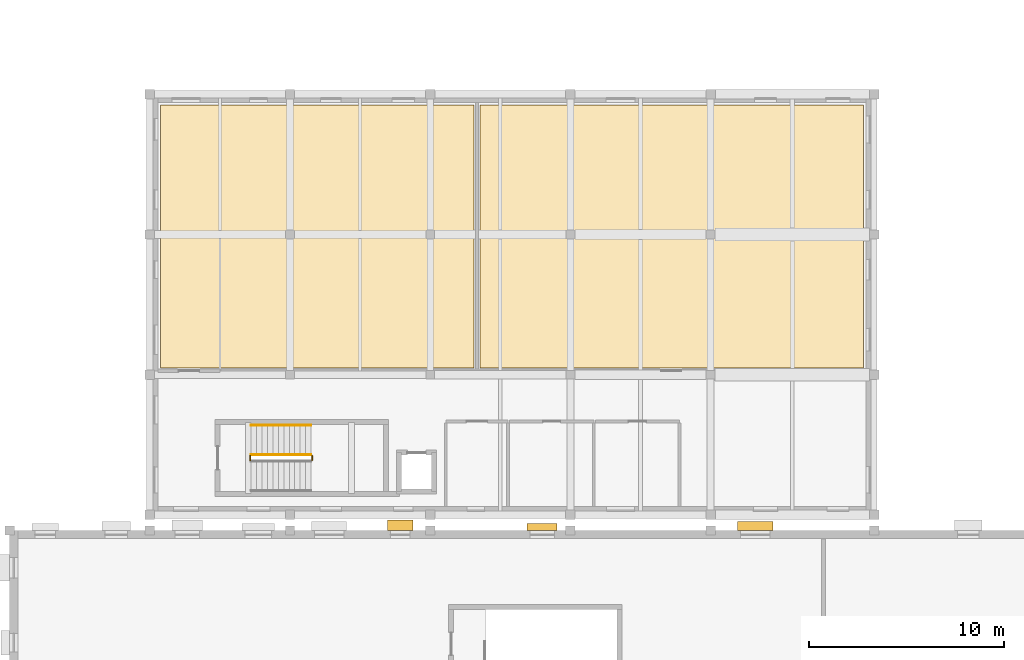
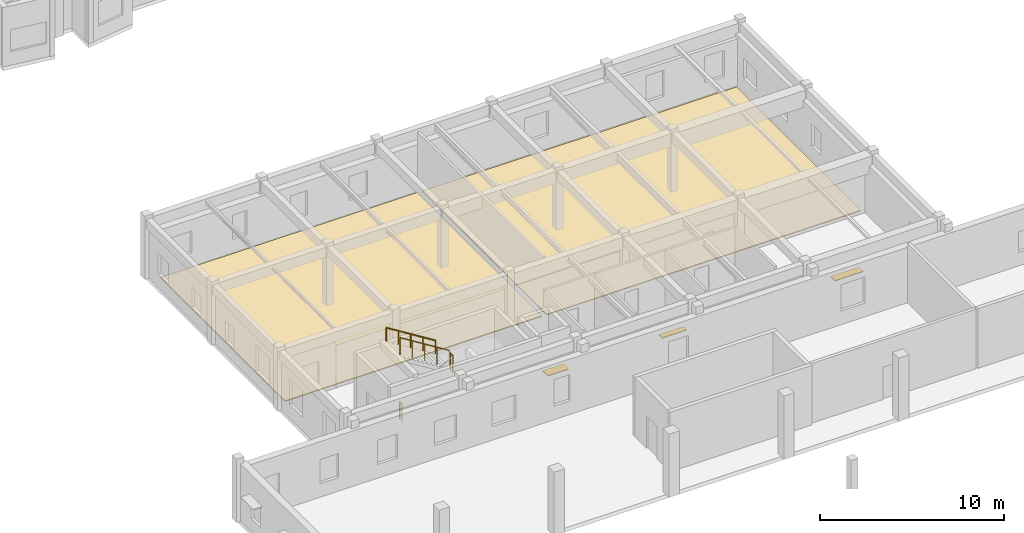
# One storey, part 47 of 49: 4 railings, 3 shading devices, 2 coverings.
"""IFC4 building model written with IfcOpenShell, lengths in metres."""

import ifcopenshell
import ifcopenshell.guid

model = None  # the IFC model being written
_history = None  # IfcOwnerHistory: only IFC2X3 demands one
_inside = {}  # id of a spatial element -> (the spatial element, [elements in it])
_under = {}  # id of a project, library or spatial element -> (it, [spatial elements below it])
_declared = {}  # id of a project -> (the project, [libraries it declares])
_typed = {}  # id of a type object -> (the type object, [elements of that type])
_made_of = {}  # id of a material, layer set ... -> (it, [elements and type objects made of it])


def new_model(schema):
    """Start an empty IFC model of exactly this schema.

    Asked for "IFC4X3", IfcOpenShell would pick the latest addendum, in which some entities
    have other attributes; the version numbers below select the first issue.
    IFC2X3 requires an IfcOwnerHistory on every rooted entity: one is made here for all.
    """
    global model, _history
    if schema == "IFC4X3":
        model = ifcopenshell.file(schema_version=(4, 3, 0, 0))
    else:
        model = ifcopenshell.file(schema=schema)
    _inside.clear()
    _under.clear()
    _declared.clear()
    _typed.clear()
    _made_of.clear()
    _history = None
    if model.schema == "IFC2X3":
        org = make("IfcOrganization", Name="unknown")
        user = make(
            "IfcPersonAndOrganization",
            ThePerson=make("IfcPerson", FamilyName="unknown"),
            TheOrganization=org,
        )
        app = make(
            "IfcApplication",
            ApplicationDeveloper=org,
            Version="unknown",
            ApplicationFullName="unknown",
            ApplicationIdentifier="unknown",
        )
        _history = make(
            "IfcOwnerHistory",
            OwningUser=user,
            OwningApplication=app,
            ChangeAction="ADDED",
            CreationDate=0,
        )
    return model


def make(cls, **values):
    """One entity of the class cls with the attributes given. An attribute that is None is left unset."""
    return model.create_entity(
        cls, **{name: value for name, value in values.items() if value is not None}
    )


def rooted(cls, **values):
    """An entity with a GlobalId (a new one), such as an element, a storey or a relation."""
    return make(cls, GlobalId=ifcopenshell.guid.new(), OwnerHistory=_history, **values)


def si_unit(unit_type, name, prefix=None):
    """IfcSIUnit, for example si_unit("LENGTHUNIT", "METRE", prefix="MILLI")."""
    return make("IfcSIUnit", UnitType=unit_type, Prefix=prefix, Name=name)


def assignment(units):
    """IfcUnitAssignment: the units of a project."""
    return None if units is None else make("IfcUnitAssignment", Units=units)


def point(xyz):
    """IfcCartesianPoint."""
    return None if xyz is None else make("IfcCartesianPoint", Coordinates=xyz)


def direction(xyz):
    """IfcDirection."""
    return None if xyz is None else make("IfcDirection", DirectionRatios=xyz)


def frame(location, z_axis=None, x_axis=None):
    """IfcAxis2Placement3D, a coordinate frame: its origin and axes. An axis left out is left unset."""
    return make(
        "IfcAxis2Placement3D",
        Location=point(location),
        Axis=direction(z_axis),
        RefDirection=direction(x_axis),
    )


def frame_2d(location, x_axis=None):
    """IfcAxis2Placement2D, a coordinate frame in the plane: its origin and x axis."""
    return make(
        "IfcAxis2Placement2D", Location=point(location), RefDirection=direction(x_axis)
    )


def origin():
    """The frame at (0, 0, 0) with its axes left unset."""
    return frame((0.0, 0.0, 0.0))


def origin_2d():
    """The frame at (0, 0) in the plane with its x axis left unset."""
    return frame_2d((0.0, 0.0))


def place(relative_to, where):
    """IfcLocalPlacement: puts the frame where relative to a parent placement (None: the world)."""
    return make(
        "IfcLocalPlacement", PlacementRelTo=relative_to, RelativePlacement=where
    )


def context(
    kind, dimensions, precision=None, world=None, true_north=None, identifier=None
):
    """IfcGeometricRepresentationContext, for example the 3D "Model" context."""
    return make(
        "IfcGeometricRepresentationContext",
        ContextIdentifier=identifier,
        ContextType=kind,
        CoordinateSpaceDimension=dimensions,
        Precision=precision,
        WorldCoordinateSystem=world,
        TrueNorth=true_north,
    )


def subcontext(parent, identifier, kind, view, scale=None):
    """IfcGeometricRepresentationSubContext, for example "Body" below "Model"."""
    return make(
        "IfcGeometricRepresentationSubContext",
        ContextIdentifier=identifier,
        ContextType=kind,
        ParentContext=parent,
        TargetScale=scale,
        TargetView=view,
    )


def project(units=None, contexts=None):
    """IfcProject with its units and contexts."""
    return rooted(
        "IfcProject",
        Name="project",
        RepresentationContexts=contexts,
        UnitsInContext=assignment(units),
    )


def spatial(cls, under=None, at=None, **own):
    """A site, building, storey or space (cls), placed at a placement, below another one or the project."""
    s = rooted(cls, ObjectPlacement=at, **own)
    if under is not None:
        _under.setdefault(under.id(), (under, []))[1].append(s)
    return s


def polyline(points):
    """IfcPolyline through the points."""
    return make("IfcPolyline", Points=[point(p) for p in points])


def profile(cls, at=None, kind="AREA", **sizes):
    """A parametric profile (cls). Its sizes go by their IFC names, for example OverallWidth=200.0."""
    return make(cls, ProfileType=kind, Position=at, **sizes)


def rectangle(**sizes):
    """IfcRectangleProfileDef."""
    return profile("IfcRectangleProfileDef", **sizes)


def circle(**sizes):
    """IfcCircleProfileDef."""
    return profile("IfcCircleProfileDef", **sizes)


def outline(outer, holes=None, kind="AREA"):
    """IfcArbitraryClosedProfileDef: a profile drawn as a closed curve; with holes, ...WithVoids."""
    if holes is None:
        return make("IfcArbitraryClosedProfileDef", ProfileType=kind, OuterCurve=outer)
    return make(
        "IfcArbitraryProfileDefWithVoids",
        ProfileType=kind,
        OuterCurve=outer,
        InnerCurves=holes,
    )


def extrude(swept, where, along, depth):
    """IfcExtrudedAreaSolid: the profile swept, set in the frame where, extruded along a direction by depth."""
    return make(
        "IfcExtrudedAreaSolid",
        SweptArea=swept,
        Position=where,
        ExtrudedDirection=direction(along),
        Depth=depth,
    )


def shape(context_of_items, identifier, shape_type, items):
    """IfcShapeRepresentation: the items that make up one representation, for example the "Body"."""
    return make(
        "IfcShapeRepresentation",
        ContextOfItems=context_of_items,
        RepresentationIdentifier=identifier,
        RepresentationType=shape_type,
        Items=items,
    )


def material(Name=None, Category=None):
    """IfcMaterial."""
    return make("IfcMaterial", Name=Name, Category=Category)


def layer(
    of_material, thickness, ventilated=None, Name=None, Category=None, Priority=None
):
    """IfcMaterialLayer: one layer of a wall or slab, of a material (None: an air gap)."""
    return make(
        "IfcMaterialLayer",
        Material=of_material,
        LayerThickness=thickness,
        IsVentilated=ventilated,
        Name=Name,
        Category=Category,
        Priority=Priority,
    )


def layer_set(layers, Name=None):
    """IfcMaterialLayerSet."""
    return make("IfcMaterialLayerSet", MaterialLayers=layers, LayerSetName=Name)


def made_of(thing, what):
    """Note that an element or type object is made of a material, layer set ...; save() writes the relation."""
    if what is not None:
        _made_of.setdefault(what.id(), (what, []))[1].append(thing)
    return thing


def type_object(cls, material=None, **own):
    """A type object (cls), such as IfcWallType, which elements share."""
    return made_of(rooted(cls, **own), material)


def element(
    cls,
    number,
    at=None,
    inside=None,
    cuts=None,
    type_object=None,
    material=None,
    context=None,
    identifier="Body",
    shape_type=None,
    held_by="IfcProductDefinitionShape",
    body=None,
    shapes=None,
    **own,
):
    """One element of the class cls, such as IfcWall. Its Tag is "e" and its number.

    at: its placement. inside: the storey or other place that contains it. cuts: it is an
    opening in that element (IfcRelVoidsElement). A single representation is given by context,
    identifier, shape_type and body (its items); several are given by shapes. held_by: the class
    of the entity that holds the representations. save() writes the other relations.
    """
    e = rooted(cls, Tag="e%d" % number, ObjectPlacement=at, **own)
    if body is not None:
        shapes = [shape(context, identifier, shape_type, body)]
    if shapes is not None:
        e.Representation = make(held_by, Representations=shapes)
    if inside is not None:
        _inside.setdefault(inside.id(), (inside, []))[1].append(e)
    if cuts is not None:
        rooted(
            "IfcRelVoidsElement", RelatingBuildingElement=cuts, RelatedOpeningElement=e
        )
    if type_object is not None:
        _typed.setdefault(type_object.id(), (type_object, []))[1].append(e)
    return made_of(e, material)


def aggregate(whole, parts):
    """IfcRelAggregates: a whole, such as a stair, and the parts it consists of."""
    return rooted("IfcRelAggregates", RelatingObject=whole, RelatedObjects=parts)


def save(model, path):
    """Write the relations noted so far, then the file.

    IfcRelAggregates (storeys below a building ...), IfcRelContainedInSpatialStructure (elements
    in a storey), IfcRelDefinesByType, IfcRelAssociatesMaterial and IfcRelDeclares: one each for
    every whole, place, type object, material and project.
    """
    for whole, parts in _under.values():
        aggregate(whole, parts)
    for where, things in _inside.values():
        rooted(
            "IfcRelContainedInSpatialStructure",
            RelatedElements=things,
            RelatingStructure=where,
        )
    for kind, things in _typed.values():
        rooted("IfcRelDefinesByType", RelatedObjects=things, RelatingType=kind)
    for what, things in _made_of.values():
        rooted("IfcRelAssociatesMaterial", RelatedObjects=things, RelatingMaterial=what)
    for by, libraries in _declared.values():
        rooted("IfcRelDeclares", RelatingContext=by, RelatedDefinitions=libraries)
    model.write(path)


model = new_model("IFC4")

# Units and contexts
model_context = context("Model", 3, precision=1e-05, world=origin(), true_north=direction((0.0, 1.0)))
body_context = subcontext(model_context, "Body", "Model", "MODEL_VIEW")
ifc_project = project(units=[si_unit("LENGTHUNIT", "METRE"), si_unit("AREAUNIT", "SQUARE_METRE"), si_unit("VOLUMEUNIT", "CUBIC_METRE"), si_unit("PLANEANGLEUNIT", "RADIAN"), si_unit("MASSUNIT", "GRAM", prefix="KILO")], contexts=[model_context])

# Site, building, storey
site_placement = place(None, origin())
site = spatial("IfcSite", under=ifc_project, at=site_placement, CompositionType="ELEMENT")
building_placement = place(site_placement, origin())
building = spatial("IfcBuilding", under=site, at=building_placement, Name="Bramveld Media Centre", CompositionType="ELEMENT")
storey_placement = place(building_placement, frame((0.0, 0.0, 9.60009765625)))
storey = spatial("IfcBuildingStorey", under=building, at=storey_placement, Name="L02", CompositionType="ELEMENT", Elevation=9.60009765625)

# Coverings
ifc_material_1 = material(Name="Floating acoustic screed with smoked European oak studio flooring")
ifc_layer_1 = layer(ifc_material_1, 0.06494140625)
ifc_layer_set_1 = layer_set([ifc_layer_1], Name="Floating acoustic screed with smoked European oak studio flooring")
covering_type_1 = type_object("IfcCoveringType", Name="COV-FLOOR-01", PredefinedType="FLOORING", material=ifc_layer_set_1)
covering_1_placement = place(storey_placement, origin())
element("IfcCovering", 1, at=covering_1_placement, inside=storey, type_object=covering_type_1, Name="Animation & Motion-Capture Studio finish flooring", PredefinedType="FLOORING", context=body_context, shape_type="SweptSolid", body=[
    extrude(outline(polyline([(131.75, 46.75), (147.85009765625, 46.75), (147.85009765625, 60.25), (131.75, 60.25), (131.75, 46.75)])), origin(), (0.0, 0.0, 1.0), 0.06494140625),
])
ifc_material_2 = material(Name="Honed Belgian bluestone (petit granit) public concourse flooring", Category="masonry")
ifc_layer_2 = layer(ifc_material_2, 0.050048828125)
ifc_layer_set_2 = layer_set([ifc_layer_2], Name="Honed Belgian bluestone (petit granit) public concourse flooring")
covering_type_2 = type_object("IfcCoveringType", Name="COV-FLOOR-02", PredefinedType="FLOORING", material=ifc_layer_set_2)
covering_2_placement = place(storey_placement, origin())
element("IfcCovering", 2, at=covering_2_placement, inside=storey, type_object=covering_type_2, Name="Sound Design Teaching Lab finish flooring", PredefinedType="FLOORING", context=body_context, shape_type="SweptSolid", body=[
    extrude(outline(polyline([(148.14990234375, 46.75), (167.85009765625, 46.75), (167.85009765625, 60.25), (148.14990234375, 60.25), (148.14990234375, 46.75)])), origin(), (0.0, 0.0, 1.0), 0.0498046875),
])

# Railings
ifc_material_3 = material(Name="Painted galvanized steel stairwell guardrail", Category="steel")
railing_type_1 = type_object("IfcRailingType", Name="RAIL-STAIR-GUARD-1150", PredefinedType="GUARDRAIL", material=ifc_material_3)
railing_1_placement = place(storey_placement, frame((139.530029296875, 42.0, 2.099853515625)))
element("IfcRailing", 3, at=railing_1_placement, inside=storey, type_object=railing_type_1, Name="L02 ST-08 stair guard 2", PredefinedType="GUARDRAIL", context=body_context, shape_type="SweptSolid", body=[
    extrude(circle(Radius=0.02392578125, at=origin_2d()), frame((0.0, 0.0, 1.1259765625), z_axis=(0.0, 1.0, 0.0), x_axis=(-1.0, 0.0, 0.0)), (0.0, 0.0, 1.0), 0.25),
    extrude(circle(Radius=0.02099609375, at=origin_2d()), origin(), (0.0, 0.0, 1.0), 1.101806640625),
    extrude(circle(Radius=0.02099609375, at=origin_2d()), frame((0.0, 0.25, 0.0)), (0.0, 0.0, 1.0), 1.101806640625),
])
railing_2_placement = place(storey_placement, frame((139.47998046875, 42.300048828125, 2.27490234375)))
element("IfcRailing", 4, at=railing_2_placement, inside=storey, type_object=railing_type_1, Name="L02 ST-08 stair guard 3", PredefinedType="GUARDRAIL", context=body_context, shape_type="SweptSolid", body=[
    extrude(circle(Radius=0.02392578125, at=origin_2d()), frame((0.0, 0.0, 1.1259765625), z_axis=(-0.847998304005, 0.0, 0.529998940003), x_axis=(0.0, -1.0, 0.0)), (0.0, 0.0, 1.0), 3.632080078125),
    extrude(circle(Radius=0.02099609375, at=origin_2d()), origin(), (0.0, 0.0, 1.0), 1.101806640625),
    extrude(circle(Radius=0.02099609375, at=origin_2d()), frame((-0.77001953125, 0.0, 0.481201171875)), (0.0, 0.0, 1.0), 1.101806640625),
    extrude(circle(Radius=0.02099609375, at=origin_2d()), frame((-1.5400390625, 0.0, 0.96240234375)), (0.0, 0.0, 1.0), 1.101806640625),
    extrude(circle(Radius=0.02099609375, at=origin_2d()), frame((-2.31005859375, 0.0, 1.44384765625)), (0.0, 0.0, 1.0), 1.101806640625),
    extrude(circle(Radius=0.02099609375, at=origin_2d()), frame((-3.080078125, 0.0, 1.925048828125)), (0.0, 0.0, 1.0), 1.101806640625),
])
railing_3_placement = place(storey_placement, frame((136.35009765625, 42.0, 0.0)))
element("IfcRailing", 5, at=railing_3_placement, inside=storey, type_object=railing_type_1, Name="L02 ST-08 stair guard 4", PredefinedType="GUARDRAIL", context=body_context, shape_type="SweptSolid", body=[
    extrude(circle(Radius=0.02392578125, at=origin_2d()), frame((0.0, 0.0, 1.1259765625), z_axis=(0.0, 1.0, 0.0), x_axis=(-1.0, 0.0, 0.0)), (0.0, 0.0, 1.0), 0.25),
    extrude(circle(Radius=0.02099609375, at=origin_2d()), origin(), (0.0, 0.0, 1.0), 1.101806640625),
    extrude(circle(Radius=0.02099609375, at=origin_2d()), frame((0.0, 0.25, 0.0)), (0.0, 0.0, 1.0), 1.101806640625),
])
ifc_material_4 = material(Name="Brushed stainless steel tubular stair handrail", Category="steel")
railing_type_2 = type_object("IfcRailingType", Name="RAIL-STAIR-HAND-0920", PredefinedType="HANDRAIL", material=ifc_material_4)
railing_4_placement = place(storey_placement, frame((139.47998046875, 43.800048828125, 2.27490234375)))
element("IfcRailing", 6, at=railing_4_placement, inside=storey, type_object=railing_type_2, Name="L02 ST-08 stair handrail 2", PredefinedType="HANDRAIL", context=body_context, shape_type="SweptSolid", body=[
    extrude(circle(Radius=0.02392578125, at=origin_2d()), frame((0.0, 0.0, 0.8759765625), z_axis=(-0.847998304005, 0.0, 0.529998940003), x_axis=(0.0, -1.0, 0.0)), (0.0, 0.0, 1.0), 3.632080078125),
    extrude(circle(Radius=0.02099609375, at=origin_2d()), origin(), (0.0, 0.0, 1.0), 0.851806640625),
    extrude(circle(Radius=0.02099609375, at=origin_2d()), frame((-0.77001953125, 0.0, 0.481201171875)), (0.0, 0.0, 1.0), 0.851806640625),
    extrude(circle(Radius=0.02099609375, at=origin_2d()), frame((-1.5400390625, 0.0, 0.96240234375)), (0.0, 0.0, 1.0), 0.851806640625),
    extrude(circle(Radius=0.02099609375, at=origin_2d()), frame((-2.31005859375, 0.0, 1.44384765625)), (0.0, 0.0, 1.0), 0.851806640625),
    extrude(circle(Radius=0.02099609375, at=origin_2d()), frame((-3.080078125, 0.0, 1.925048828125)), (0.0, 0.0, 1.0), 0.851806640625),
])

# Shading devices
ifc_material_5 = material(Name="Anodized bronze extruded aluminium solar shading fin", Category="aluminium")
shading_device_type_1 = type_object("IfcShadingDeviceType", Name="SHD-BRISE-350", PredefinedType="JALOUSIE", material=ifc_material_5)
shading_device_1_placement = place(storey_placement, frame((151.352783203125, 38.574951171875, 2.659912109375), z_axis=(0.0, 0.0, 1.0), x_axis=(1.0, 0.0, 0.0)))
element("IfcShadingDevice", 7, at=shading_device_1_placement, inside=storey, type_object=shading_device_type_1, Name="Bronze solar shading fin 39", PredefinedType="JALOUSIE", context=body_context, shape_type="SweptSolid", body=[
    extrude(rectangle(XDim=1.5400390625, YDim=0.35009765625, at=origin_2d()), origin(), (0.0, 0.0, 1.0), 0.06005859375),
])
ifc_material_6 = material(Name="Anodized bronze extruded aluminium solar shading fin", Category="aluminium")
shading_device_type_2 = type_object("IfcShadingDeviceType", Name="SHD-BRISE-450", PredefinedType="JALOUSIE", material=ifc_material_6)
shading_device_2_placement = place(storey_placement, frame((162.294189453125, 38.625, 2.659912109375), z_axis=(0.0, 0.0, 1.0), x_axis=(1.0, 0.0, 0.0)))
element("IfcShadingDevice", 8, at=shading_device_2_placement, inside=storey, type_object=shading_device_type_2, Name="Bronze solar shading fin 40", PredefinedType="JALOUSIE", context=body_context, shape_type="SweptSolid", body=[
    extrude(rectangle(XDim=1.800048828125, YDim=0.449951171875, at=origin_2d()), origin(), (0.0, 0.0, 1.0), 0.06005859375),
])
ifc_material_7 = material(Name="Anodized bronze extruded aluminium solar shading fin", Category="aluminium")
shading_device_type_3 = type_object("IfcShadingDeviceType", Name="SHD-BRISE-550", PredefinedType="JALOUSIE", material=ifc_material_7)
shading_device_3_placement = place(storey_placement, frame((144.058837890625, 38.675048828125, 2.659912109375), z_axis=(0.0, 0.0, 1.0), x_axis=(1.0, 0.0, 0.0)))
element("IfcShadingDevice", 9, at=shading_device_3_placement, inside=storey, type_object=shading_device_type_3, Name="Bronze solar shading fin 38", PredefinedType="JALOUSIE", context=body_context, shape_type="SweptSolid", body=[
    extrude(rectangle(XDim=1.300048828125, YDim=0.550048828125, at=origin_2d()), origin(), (0.0, 0.0, 1.0), 0.06005859375),
])

save(model, "model.ifc")
